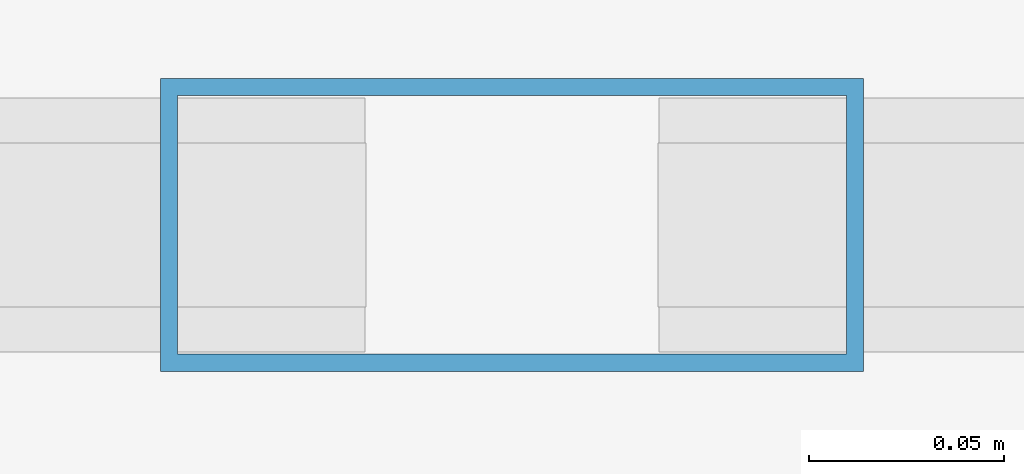
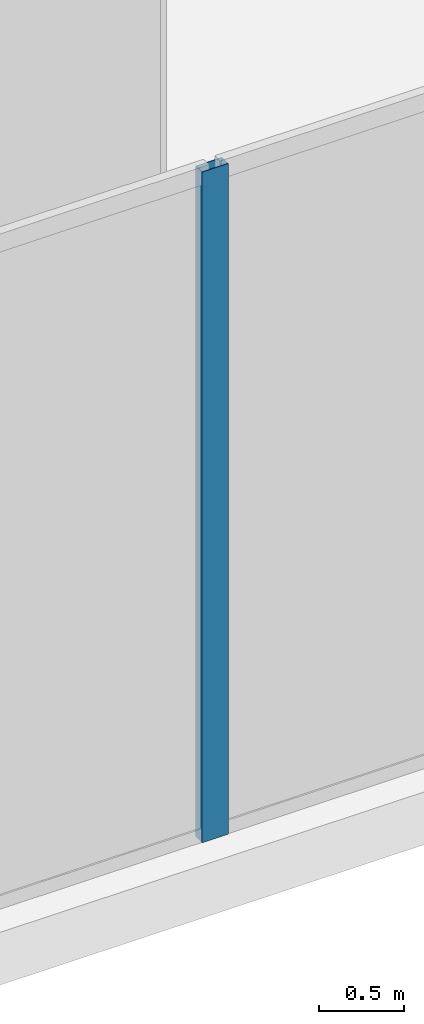
# One storey, part 14 of 36: 1 member, 1 element without a shape of its own.
"""IFC4 building model written with IfcOpenShell, lengths in metres."""

from ifc_helpers import new_model, si_unit, direction, frame, origin, origin_with_axes, origin_2d, place, context, subcontext, project, spatial, hollow_rectangle, extrude, source, transform, mapped, material, layer, layer_set, material_profile, profile_set, type_object, element, aggregate, save


model = new_model("IFC4")

# Units and contexts
model_context = context("Model", 3, precision=1e-05, world=origin(), true_north=direction((0.0, 1.0)))
body_context = subcontext(model_context, "Body", "Model", "MODEL_VIEW")
ifc_project = project(units=[si_unit("LENGTHUNIT", "METRE"), si_unit("AREAUNIT", "SQUARE_METRE"), si_unit("VOLUMEUNIT", "CUBIC_METRE"), si_unit("PLANEANGLEUNIT", "RADIAN"), si_unit("MASSUNIT", "GRAM", prefix="KILO")], contexts=[model_context])

# Site, building, storey
site_placement = place(None, origin())
site = spatial("IfcSite", under=ifc_project, at=site_placement, CompositionType="ELEMENT")
building_placement = place(site_placement, origin())
building = spatial("IfcBuilding", under=site, at=building_placement, Name="Kolvaren Waterfront Exchange", CompositionType="ELEMENT")
storey_placement = place(building_placement, frame((0.0, 0.0, 82.800048828125)))
storey = spatial("IfcBuildingStorey", under=building, at=storey_placement, Name="L21", CompositionType="ELEMENT", Elevation=82.800048828125)

# Curtain wall, member
ifc_material_1 = material(Name="Anodised dark bronze spandrel aluminium", Category="aluminium")
ifc_layer = layer(ifc_material_1, 0.219970703125, Name="Anodised dark bronze spandrel aluminium")
ifc_layer_set = layer_set([ifc_layer], Name="Anodised dark bronze spandrel aluminium")
curtain_wall_type = type_object("IfcCurtainWallType", Name="ARC-CW-SYS6", PredefinedType="USERDEFINED", material=ifc_layer_set)
curtain_wall_placement = place(storey_placement, origin())
curtain_wall = element("IfcCurtainWall", 1, at=curtain_wall_placement, inside=storey, type_object=curtain_wall_type, Name="L21 stick curtain wall CW6 (CW-L21-S)", ObjectType="STICK CURTAIN WALL", PredefinedType="USERDEFINED")
ifc_material_2 = material(Name="Anodised bronze aluminium 6063-T6", Category="aluminium")
ifc_material_profile = material_profile(ifc_material_2, hollow_rectangle(XDim=0.074951171875, YDim=0.179931640625, WallThickness=0.00439453125, at=origin_2d()), Name="ALU-MUL-180x75x4.5")
ifc_profile_set = profile_set([ifc_material_profile], Name="Anodised bronze aluminium 6063-T6")
member_type = type_object("IfcMemberType", Name="ARC-CWM-180", PredefinedType="MULLION", material=ifc_profile_set)
shared_shape = source(origin_with_axes(), body_context, "Body", "SweptSolid", [
    extrude(hollow_rectangle(XDim=0.074951171875, YDim=0.179931640625, WallThickness=0.00439453125, at=origin_2d()), origin(), (0.0, 0.0, 1.0), 4.83984375),
])
member_placement = place(storey_placement, frame((46.75, 1.43994140625, 0.0), z_axis=(0.0, 0.0, 1.0), x_axis=(0.0, 1.0, 0.0)))
member = element("IfcMember", 2, at=member_placement, type_object=member_type, Name="CW6 mullion 7", PredefinedType="MULLION", context=body_context, shape_type="MappedRepresentation", body=[
    mapped(shared_shape, transform((0.0, 0.0, 0.0), x_axis=(1.0, 0.0, 0.0), y_axis=(0.0, 1.0, 0.0), z_axis=(0.0, 0.0, 1.0), scale=1.0)),
])
aggregate(curtain_wall, [member])

save(model, "model.ifc")
